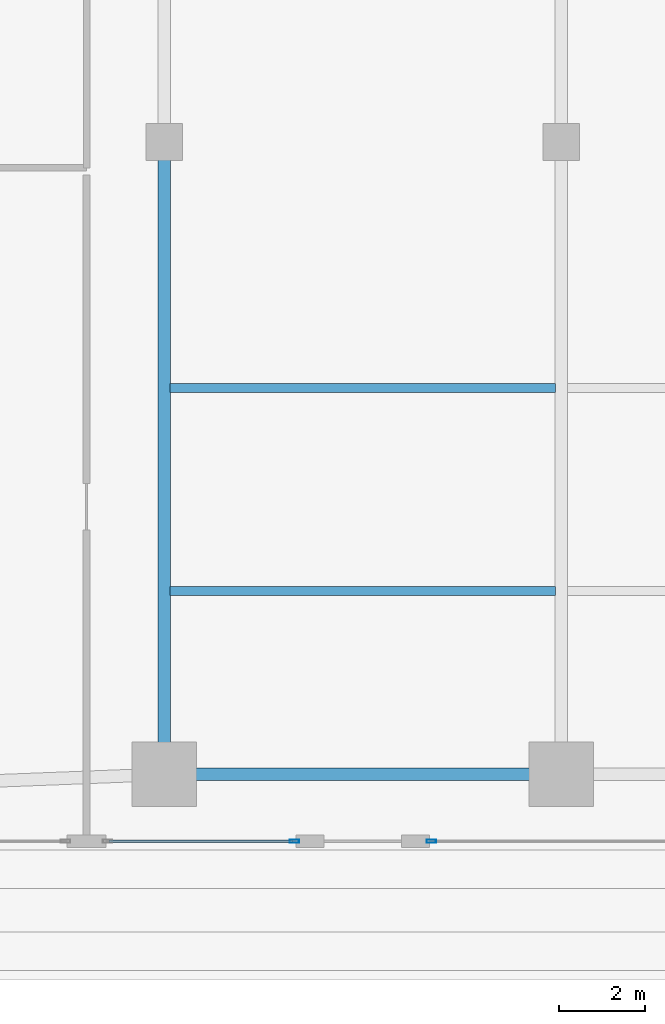
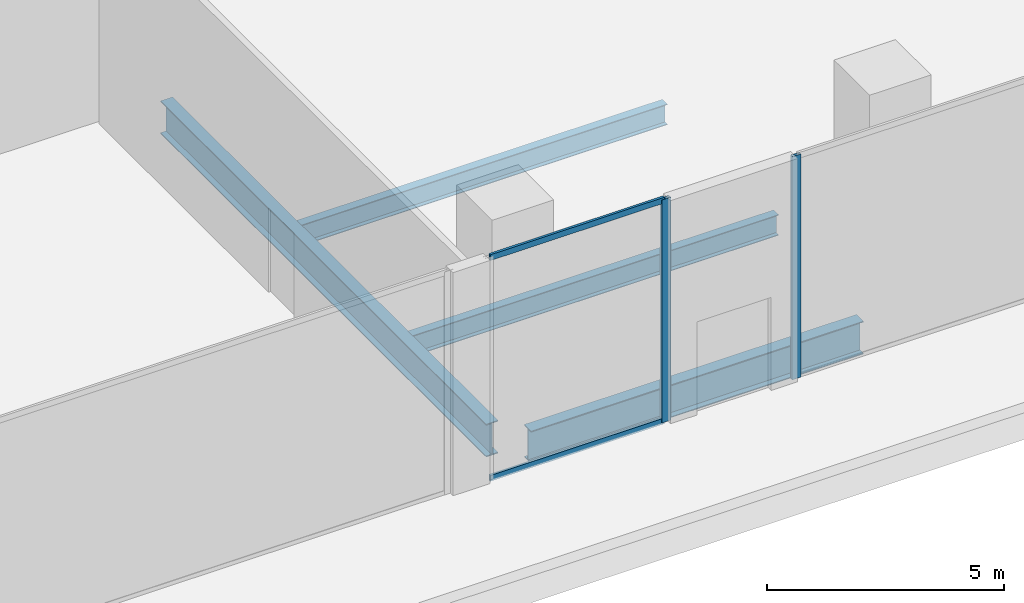
# One storey, part 5 of 39: 4 beams, 4 members, 2 elements without a shape of their own.
"""IFC4 building model written with IfcOpenShell, lengths in metres."""

from ifc_helpers import new_model, si_unit, direction, frame, origin, origin_2d, place, context, subcontext, project, spatial, hollow_rectangle, i_section, extrude, material, layer, layer_set, material_profile, profile_set, type_object, element, aggregate, save


model = new_model("IFC4")

# Units and contexts
model_context = context("Model", 3, precision=1e-05, world=origin(), true_north=direction((0.0, 1.0)))
body_context = subcontext(model_context, "Body", "Model", "MODEL_VIEW")
ifc_project = project(units=[si_unit("LENGTHUNIT", "METRE"), si_unit("AREAUNIT", "SQUARE_METRE"), si_unit("VOLUMEUNIT", "CUBIC_METRE"), si_unit("PLANEANGLEUNIT", "RADIAN"), si_unit("MASSUNIT", "GRAM", prefix="KILO")], contexts=[model_context])

# Site, building, storey
site_placement = place(None, origin())
site = spatial("IfcSite", under=ifc_project, at=site_placement, CompositionType="ELEMENT")
building_placement = place(site_placement, origin())
building = spatial("IfcBuilding", under=site, at=building_placement, Name="Zuhayl Quay Hotel", CompositionType="ELEMENT")
storey_placement = place(building_placement, origin())
storey = spatial("IfcBuildingStorey", under=building, at=storey_placement, Name="L00", CompositionType="ELEMENT", Elevation=0.0)

# Beams
ifc_material_1 = material(Name="Steel ASTM A992 Grade 50", Category="steel")
ifc_material_profile_1 = material_profile(ifc_material_1, i_section(OverallWidth=0.208984375, OverallDepth=0.532958984375, WebThickness=0.01025390625, FlangeThickness=0.015625, at=origin_2d()), Name="W21X62")
ifc_profile_set_1 = profile_set([ifc_material_profile_1], Name="Steel ASTM A992 Grade 50")
beam_type_1 = type_object("IfcBeamType", Name="BM_J1_W21X62", PredefinedType="JOIST", material=ifc_profile_set_1)
for number, where, z_axis, x_axis, name in (
    (1, (-13.662109375, -18.199951171875, -0.526611328125), (1.0, 0.0, 0.0), (0.0, 1.0, 0.0), "L00 Floor Beam J_POD_L00_1_1"),
    (2, (-13.662109375, -13.5, -0.526611328125), (1.0, 0.0, 0.0), (0.0, 1.0, 0.0), "L00 Floor Beam J_POD_L00_2_1"),
):
    element("IfcBeam", number, at=place(storey_placement, frame(where, z_axis=z_axis, x_axis=x_axis)), inside=storey, type_object=beam_type_1, Name=name, PredefinedType="JOIST", context=body_context, shape_type="SweptSolid", body=[
        extrude(i_section(OverallWidth=0.208984375, OverallDepth=0.532958984375, WebThickness=0.01025390625, FlangeThickness=0.015625, at=origin_2d()), origin(), (0.0, 0.0, 1.0), 8.924072265625),
    ])
ifc_material_profile_2 = material_profile(ifc_material_1, i_section(OverallWidth=0.2919921875, OverallDepth=0.845947265625, WebThickness=0.015380859375, FlangeThickness=0.0244140625, at=origin_2d()), Name="W33X141")
ifc_profile_set_2 = profile_set([ifc_material_profile_2], Name="Steel ASTM A992 Grade 50")
beam_type_2 = type_object("IfcBeamType", Name="BM_PG3_W33X141", PredefinedType="BEAM", material=ifc_profile_set_2)
beam_1_placement = place(storey_placement, frame((-13.25, -22.449951171875, -0.68310546875), z_axis=(1.0, 0.0, 0.0), x_axis=(0.0, 1.0, 0.0)))
element("IfcBeam", 3, at=beam_1_placement, inside=storey, type_object=beam_type_2, Name="L00 Floor Beam PG_S_L00_1", PredefinedType="BEAM", context=body_context, shape_type="SweptSolid", body=[
    extrude(i_section(OverallWidth=0.2919921875, OverallDepth=0.845947265625, WebThickness=0.015380859375, FlangeThickness=0.0244140625, at=origin_2d()), origin(), (0.0, 0.0, 1.0), 8.10009765625),
])
beam_2_placement = place(storey_placement, frame((-13.800048828125, -21.89990234375, -0.68310546875), z_axis=(0.0, 1.0, 0.0), x_axis=(-1.0, 0.0, 0.0)))
element("IfcBeam", 4, at=beam_2_placement, inside=storey, type_object=beam_type_2, Name="L00 Floor Beam PG_NS1_L00_1", PredefinedType="BEAM", context=body_context, shape_type="SweptSolid", body=[
    extrude(i_section(OverallWidth=0.2919921875, OverallDepth=0.845947265625, WebThickness=0.015380859375, FlangeThickness=0.0244140625, at=origin_2d()), origin(), (0.0, 0.0, 1.0), 13.75),
])

# Curtain wall, member
ifc_material_2 = material(Name="Anodised Aluminium 6063-T6", Category="aluminium")
ifc_layer = layer(ifc_material_2, 0.199951171875, Name="Anodised Aluminium 6063-T6", Category="aluminium")
ifc_layer_set = layer_set([ifc_layer], Name="Anodised Aluminium 6063-T6")
curtain_wall_type = type_object("IfcCurtainWallType", Name="CW_SYS_POD", PredefinedType="USERDEFINED", material=ifc_layer_set)
curtain_wall_1_placement = place(storey_placement, origin())
curtain_wall_1 = element("IfcCurtainWall", 5, at=curtain_wall_1_placement, inside=storey, type_object=curtain_wall_type, Name="L00 Curtain Wall ENV_L00_E11_CW4", ObjectType="UNITISED CURTAIN WALL", PredefinedType="USERDEFINED")
ifc_material_3 = material(Name="Black-anodised aluminium 6063-T6", Category="aluminium")
ifc_material_profile_3 = material_profile(ifc_material_3, hollow_rectangle(XDim=0.074951171875, YDim=0.219970703125, WallThickness=0.00390625, at=origin_2d()), Name="ALU220X75")
ifc_profile_set_3 = profile_set([ifc_material_profile_3], Name="Black-anodised aluminium 6063-T6")
member_type_1 = type_object("IfcMemberType", Name="MB_CW_MUL_220", PredefinedType="MULLION", material=ifc_profile_set_3)
member_1_placement = place(storey_placement, frame((-7.612548828125, -24.0, 0.0), z_axis=(0.0, 0.0, 1.0), x_axis=(0.0, -1.0, 0.0)))
member_1 = element("IfcMember", 6, at=member_1_placement, type_object=member_type_1, Name="CW-POD mullion 2", PredefinedType="MULLION", context=body_context, shape_type="SweptSolid", body=[
    extrude(hollow_rectangle(XDim=0.074951171875, YDim=0.219970703125, WallThickness=0.00390625, at=origin_2d()), origin(), (0.0, 0.0, 1.0), 5.75),
])
aggregate(curtain_wall_1, [member_1])

# Curtain wall, members
curtain_wall_2_placement = place(storey_placement, origin())
curtain_wall_2 = element("IfcCurtainWall", 7, at=curtain_wall_2_placement, inside=storey, type_object=curtain_wall_type, Name="L00 Curtain Wall ENV_L00_E11_CW5", ObjectType="UNITISED CURTAIN WALL", PredefinedType="USERDEFINED")
member_2_placement = place(storey_placement, frame((-10.78759765625, -24.0, 0.0), z_axis=(0.0, 0.0, 1.0), x_axis=(0.0, -1.0, 0.0)))
member_2 = element("IfcMember", 8, at=member_2_placement, type_object=member_type_1, Name="CW-POD mullion 1", PredefinedType="MULLION", context=body_context, shape_type="SweptSolid", body=[
    extrude(hollow_rectangle(XDim=0.074951171875, YDim=0.219970703125, WallThickness=0.00390625, at=origin_2d()), origin(), (0.0, 0.0, 1.0), 5.75),
])
ifc_material_profile_4 = material_profile(ifc_material_3, hollow_rectangle(XDim=0.06005859375, YDim=0.14990234375, WallThickness=0.00341796875, at=origin_2d()), Name="ALU150X60")
ifc_profile_set_4 = profile_set([ifc_material_profile_4], Name="Black-anodised aluminium 6063-T6")
member_type_2 = type_object("IfcMemberType", Name="MB_CW_TRN_150", PredefinedType="USERDEFINED", material=ifc_profile_set_4)
member_3_placement = place(storey_placement, frame((-10.824951171875, -24.0, 0.030029296875), z_axis=(-1.0, 0.0, 0.0), x_axis=(0.0, -1.0, 0.0)))
member_3 = element("IfcMember", 9, at=member_3_placement, type_object=member_type_2, Name="CW-POD transom 1.1", ObjectType="TRANSOM", PredefinedType="USERDEFINED", context=body_context, shape_type="SweptSolid", body=[
    extrude(hollow_rectangle(XDim=0.06005859375, YDim=0.14990234375, WallThickness=0.00341796875, at=origin_2d()), origin(), (0.0, 0.0, 1.0), 4.25),
])
member_4_placement = place(storey_placement, frame((-10.824951171875, -24.0, 5.719970703125), z_axis=(-1.0, 0.0, 0.0), x_axis=(0.0, -1.0, 0.0)))
member_4 = element("IfcMember", 10, at=member_4_placement, type_object=member_type_2, Name="CW-POD transom 1.2", ObjectType="TRANSOM", PredefinedType="USERDEFINED", context=body_context, shape_type="SweptSolid", body=[
    extrude(hollow_rectangle(XDim=0.06005859375, YDim=0.14990234375, WallThickness=0.00341796875, at=origin_2d()), origin(), (0.0, 0.0, 1.0), 4.25),
])
aggregate(curtain_wall_2, [member_2, member_3, member_4])

save(model, "model.ifc")
